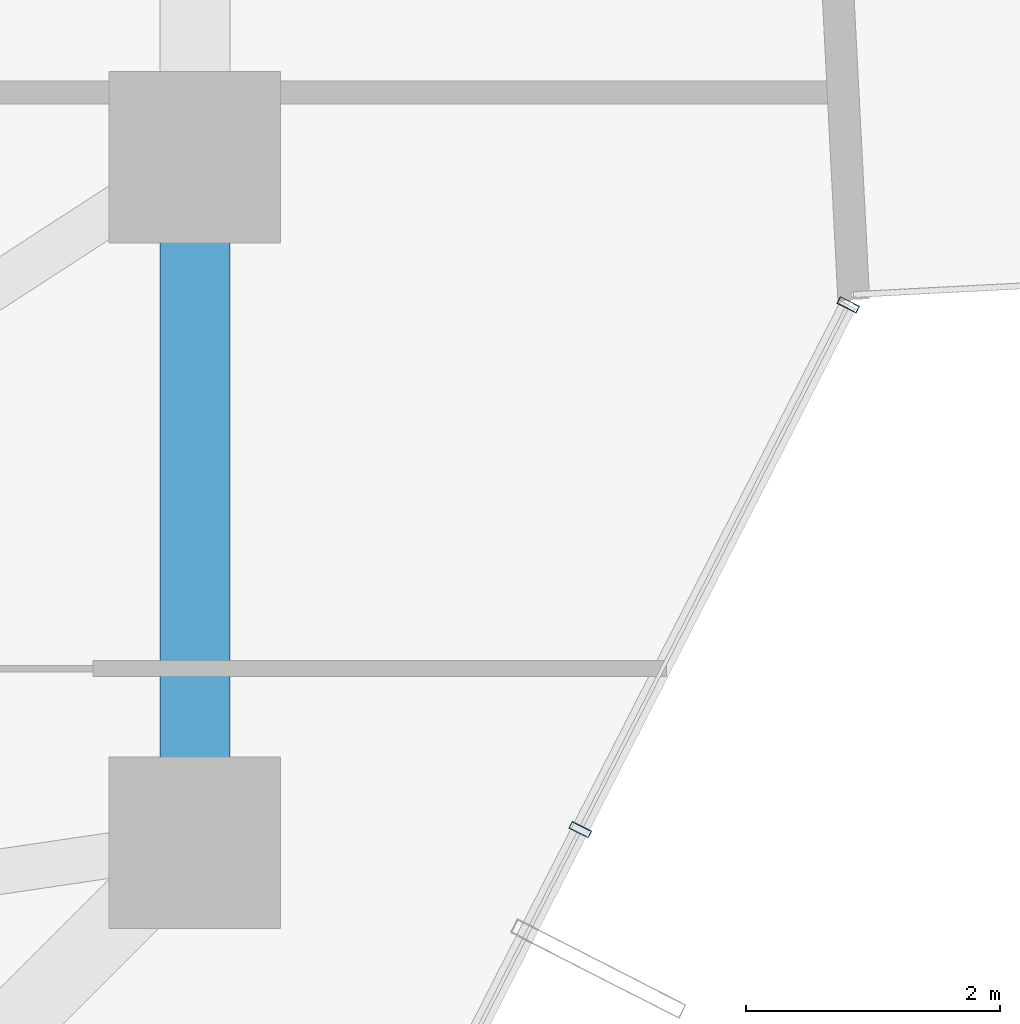
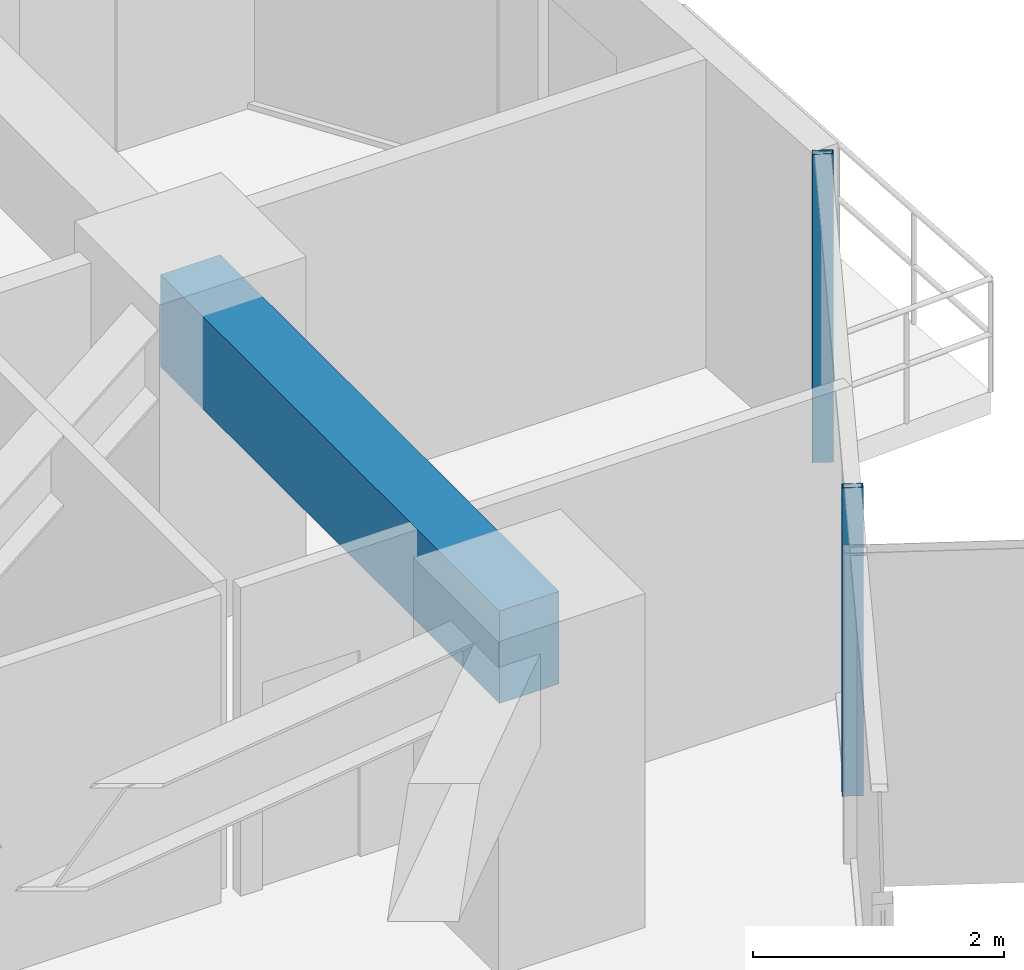
# One storey, part 18 of 37: 2 members, 1 beam, 1 element without a shape of its own.
"""IFC4 building model written with IfcOpenShell, lengths in metres."""

from ifc_helpers import new_model, si_unit, direction, frame, origin, origin_2d, place, context, subcontext, project, spatial, rectangle, hollow_rectangle, extrude, source, transform, mapped, material, layer, layer_set, material_profile, profile_set, type_object, element, aggregate, save


model = new_model("IFC4")

# Units and contexts
model_context = context("Model", 3, precision=1e-05, world=origin(), true_north=direction((0.0, 1.0)))
body_context = subcontext(model_context, "Body", "Model", "MODEL_VIEW")
ifc_project = project(units=[si_unit("LENGTHUNIT", "METRE"), si_unit("AREAUNIT", "SQUARE_METRE"), si_unit("VOLUMEUNIT", "CUBIC_METRE"), si_unit("PLANEANGLEUNIT", "RADIAN"), si_unit("MASSUNIT", "GRAM", prefix="KILO")], contexts=[model_context])

# Site, building, storey
site_placement = place(None, origin())
site = spatial("IfcSite", under=ifc_project, at=site_placement, CompositionType="ELEMENT")
building_placement = place(site_placement, origin())
building = spatial("IfcBuilding", under=site, at=building_placement, Name="Veraguas Prism Commons", CompositionType="ELEMENT")
storey_placement = place(building_placement, frame((0.0, 0.0, 33.800048828125)))
storey = spatial("IfcBuildingStorey", under=building, at=storey_placement, Name="L08", CompositionType="ELEMENT", Elevation=33.800048828125)

# Beam
ifc_material_1 = material(Name="Concrete C50/60", Category="concrete")
ifc_material_profile_1 = material_profile(ifc_material_1, rectangle(XDim=0.550048828125, YDim=0.89990234375, at=origin_2d()), Name="RC550X900")
ifc_profile_set_1 = profile_set([ifc_material_profile_1], Name="Concrete C50/60")
beam_type = type_object("IfcBeamType", Name="Perimeter Spandrel Lower RC 550x900", PredefinedType="SPANDREL", material=ifc_profile_set_1)
beam_placement = place(storey_placement, frame((41.60009765625, 18.60009765625, 2.550048828125), z_axis=(0.0, 1.0, 0.0), x_axis=(-1.0, 0.0, 0.0)))
element("IfcBeam", 1, at=beam_placement, inside=storey, type_object=beam_type, Name="Perimeter Spandrel Beam L08-SP01", PredefinedType="SPANDREL", context=body_context, shape_type="SweptSolid", body=[
    extrude(rectangle(XDim=0.550048828125, YDim=0.89990234375, at=origin_2d()), origin(), (0.0, 0.0, 1.0), 5.39990234375),
])

# Curtain wall, members
ifc_material_2 = material(Name="Anodised aluminium EN AW-6063 T6", Category="aluminium")
ifc_layer = layer(ifc_material_2, 0.169921875, Name="Unitised Flush Curtain Wall Zone 1", Category="aluminium")
ifc_layer_set = layer_set([ifc_layer], Name="Anodised aluminium EN AW-6063 T6")
curtain_wall_type = type_object("IfcCurtainWallType", Name="Unitised Flush Curtain Wall Zone 1", PredefinedType="NOTDEFINED", material=ifc_layer_set)
curtain_wall_placement = place(storey_placement, origin())
curtain_wall = element("IfcCurtainWall", 2, at=curtain_wall_placement, inside=storey, type_object=curtain_wall_type, Name="Tower Facade Curtain Wall L08-F6", PredefinedType="NOTDEFINED")
ifc_material_profile_2 = material_profile(ifc_material_2, hollow_rectangle(XDim=0.06005859375, YDim=0.169921875, WallThickness=0.00390625, at=origin_2d()), Name="AL60X170X4")
ifc_profile_set_2 = profile_set([ifc_material_profile_2], Name="Anodised aluminium EN AW-6063 T6")
member_type = type_object("IfcMemberType", Name="Curtain Wall Mullion Lower AL 60x170x4", PredefinedType="MULLION", material=ifc_profile_set_2)
shared_shape = source(origin(), body_context, "Body", "SweptSolid", [
    extrude(hollow_rectangle(XDim=0.06005859375, YDim=0.169921875, WallThickness=0.00390625, at=origin_2d()), origin(), (0.0, 0.0, 1.0), 3.0),
])
member_1_placement = place(storey_placement, frame((44.63427734375, 18.704345703125, 0.0), z_axis=(0.0, 0.0, 1.0), x_axis=(0.454921756221, 0.890531411976, 0.0)))
member_1 = element("IfcMember", 3, at=member_1_placement, type_object=member_type, Name="CW-Z1 Mullion 4", PredefinedType="MULLION", context=body_context, shape_type="MappedRepresentation", body=[
    mapped(shared_shape, transform((0.0, 0.0, 0.0), scale=1.0)),
])
member_2_placement = place(storey_placement, frame((46.74560546875, 22.837158203125, 0.0), z_axis=(0.0, 0.0, 1.0), x_axis=(0.454921756221, 0.890531411976, 0.0)))
member_2 = element("IfcMember", 4, at=member_2_placement, type_object=member_type, Name="CW-Z1 Mullion 5", PredefinedType="MULLION", context=body_context, shape_type="MappedRepresentation", body=[
    mapped(shared_shape, transform((0.0, 0.0, 0.0), scale=1.0)),
])
aggregate(curtain_wall, [member_1, member_2])

save(model, "model.ifc")
